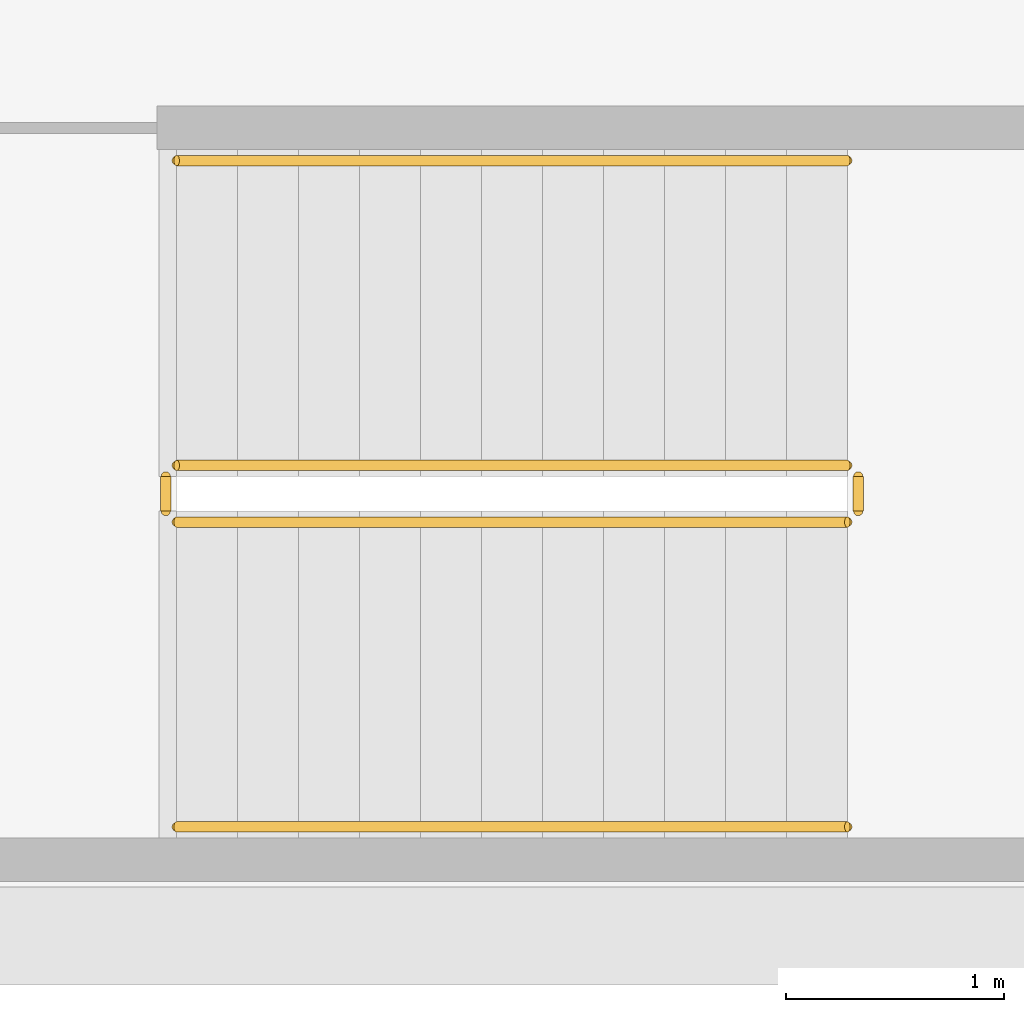
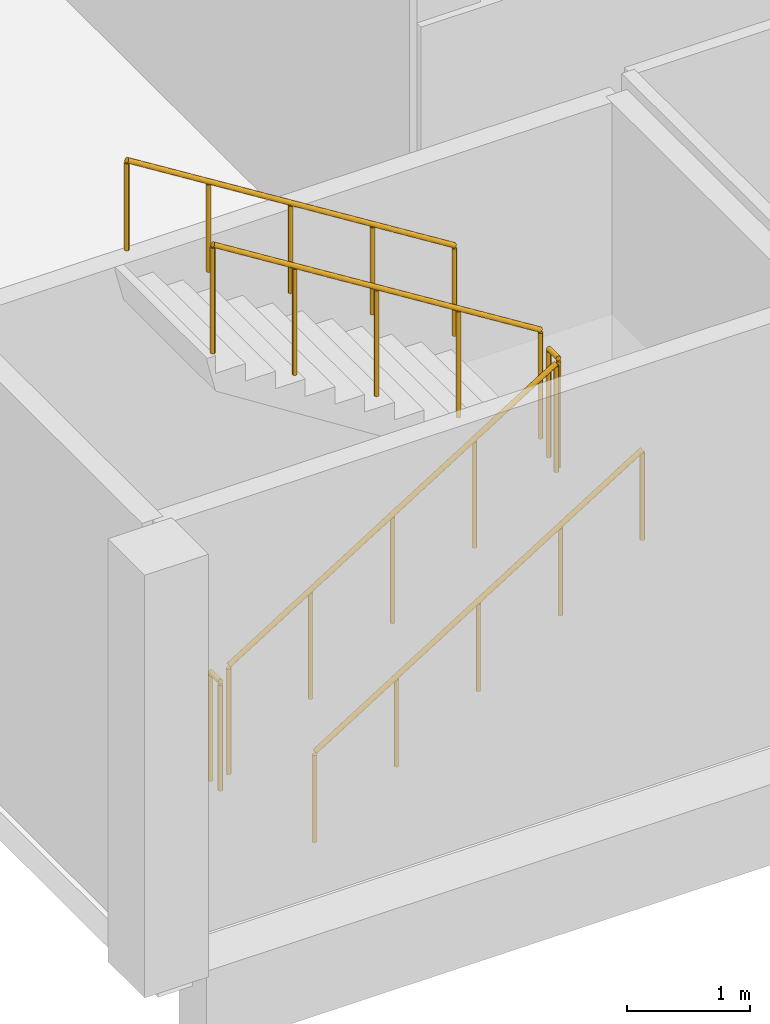
# One storey, part 60 of 68: 6 railings.
"""IFC4 building model written with IfcOpenShell, lengths in metres."""

from ifc_helpers import new_model, si_unit, direction, frame, origin, origin_2d, place, context, subcontext, project, spatial, circle, extrude, material, type_object, element, save


model = new_model("IFC4")

# Units and contexts
model_context = context("Model", 3, precision=1e-05, world=origin(), true_north=direction((0.0, 1.0)))
body_context = subcontext(model_context, "Body", "Model", "MODEL_VIEW")
ifc_project = project(units=[si_unit("LENGTHUNIT", "METRE"), si_unit("AREAUNIT", "SQUARE_METRE"), si_unit("VOLUMEUNIT", "CUBIC_METRE"), si_unit("PLANEANGLEUNIT", "RADIAN"), si_unit("MASSUNIT", "GRAM", prefix="KILO")], contexts=[model_context])

# Site, building, storey
site_placement = place(None, origin())
site = spatial("IfcSite", under=ifc_project, at=site_placement, CompositionType="ELEMENT")
building_placement = place(site_placement, origin())
building = spatial("IfcBuilding", under=site, at=building_placement, Name="Ciguamira Faculty of Natural Sciences", CompositionType="ELEMENT")
storey_placement = place(building_placement, frame((0.0, 0.0, 4.199951171875)))
storey = spatial("IfcBuildingStorey", under=building, at=storey_placement, Name="L01", CompositionType="ELEMENT", Elevation=4.199951171875)

# Railings
ifc_material_1 = material(Name="Stainless steel balustrade", Category="steel")
railing_type_1 = type_object("IfcRailingType", Name="Guardrail_GR01", PredefinedType="GUARDRAIL", material=ifc_material_1)
railing_1_placement = place(storey_placement, frame((59.06005859375, 46.89990234375, 0.175048828125)))
element("IfcRailing", 1, at=railing_1_placement, inside=storey, type_object=railing_type_1, Name="L01 ST-W1 stair guard 1", PredefinedType="GUARDRAIL", context=body_context, shape_type="SweptSolid", body=[
    extrude(circle(Radius=0.02392578125, at=origin_2d()), frame((0.0, 0.0, 1.076171875), z_axis=(0.847979421464, 0.0, 0.530029150871), x_axis=(0.0, 1.0, 0.0)), (0.0, 0.0, 1.0), 3.632080078125),
    extrude(circle(Radius=0.02099609375, at=origin_2d()), origin(), (0.0, 0.0, 1.0), 1.052001953125),
    extrude(circle(Radius=0.02099609375, at=origin_2d()), frame((0.77001953125, 0.0, 0.481201171875)), (0.0, 0.0, 1.0), 1.052001953125),
    extrude(circle(Radius=0.02099609375, at=origin_2d()), frame((1.5400390625, 0.0, 0.96240234375)), (0.0, 0.0, 1.0), 1.052001953125),
    extrude(circle(Radius=0.02099609375, at=origin_2d()), frame((2.309814453125, 0.0, 1.44384765625)), (0.0, 0.0, 1.0), 1.052001953125),
    extrude(circle(Radius=0.02099609375, at=origin_2d()), frame((3.079833984375, 0.0, 1.925048828125)), (0.0, 0.0, 1.0), 1.052001953125),
])
railing_2_placement = place(storey_placement, frame((62.18994140625, 46.949951171875, 2.10009765625)))
element("IfcRailing", 2, at=railing_2_placement, inside=storey, type_object=railing_type_1, Name="L01 ST-W1 stair guard 2", PredefinedType="GUARDRAIL", context=body_context, shape_type="SweptSolid", body=[
    extrude(circle(Radius=0.02392578125, at=origin_2d()), frame((0.0, 0.0, 1.076171875), z_axis=(0.0, 1.0, 0.0), x_axis=(-1.0, 0.0, 0.0)), (0.0, 0.0, 1.0), 0.16015625),
    extrude(circle(Radius=0.02099609375, at=origin_2d()), origin(), (0.0, 0.0, 1.0), 1.052001953125),
    extrude(circle(Radius=0.02099609375, at=origin_2d()), frame((0.0, 0.16015625, 0.0)), (0.0, 0.0, 1.0), 1.052001953125),
])
railing_3_placement = place(storey_placement, frame((62.139892578125, 47.159912109375, 2.275146484375)))
element("IfcRailing", 3, at=railing_3_placement, inside=storey, type_object=railing_type_1, Name="L01 ST-W1 stair guard 3", PredefinedType="GUARDRAIL", context=body_context, shape_type="SweptSolid", body=[
    extrude(circle(Radius=0.02392578125, at=origin_2d()), frame((0.0, 0.0, 1.076171875), z_axis=(-0.848009633417, 0.0, 0.529980812513), x_axis=(0.0, -1.0, 0.0)), (0.0, 0.0, 1.0), 3.6318359375),
    extrude(circle(Radius=0.02099609375, at=origin_2d()), origin(), (0.0, 0.0, 1.0), 1.052001953125),
    extrude(circle(Radius=0.02099609375, at=origin_2d()), frame((-0.77001953125, 0.0, 0.481201171875)), (0.0, 0.0, 1.0), 1.052001953125),
    extrude(circle(Radius=0.02099609375, at=origin_2d()), frame((-1.5400390625, 0.0, 0.96240234375)), (0.0, 0.0, 1.0), 1.052001953125),
    extrude(circle(Radius=0.02099609375, at=origin_2d()), frame((-2.309814453125, 0.0, 1.443603515625)), (0.0, 0.0, 1.0), 1.052001953125),
    extrude(circle(Radius=0.02099609375, at=origin_2d()), frame((-3.079833984375, 0.0, 1.9248046875)), (0.0, 0.0, 1.0), 1.052001953125),
])
railing_4_placement = place(storey_placement, frame((59.010009765625, 46.949951171875, 0.0)))
element("IfcRailing", 4, at=railing_4_placement, inside=storey, type_object=railing_type_1, Name="L01 ST-W1 stair guard 4", PredefinedType="GUARDRAIL", context=body_context, shape_type="SweptSolid", body=[
    extrude(circle(Radius=0.02392578125, at=origin_2d()), frame((0.0, 0.0, 1.076171875), z_axis=(0.0, 1.0, 0.0), x_axis=(-1.0, 0.0, 0.0)), (0.0, 0.0, 1.0), 0.16015625),
    extrude(circle(Radius=0.02099609375, at=origin_2d()), origin(), (0.0, 0.0, 1.0), 1.052001953125),
    extrude(circle(Radius=0.02099609375, at=origin_2d()), frame((0.0, 0.16015625, 0.0)), (0.0, 0.0, 1.0), 1.052001953125),
])
ifc_material_2 = material(Name="Stainless steel handrail", Category="steel")
railing_type_2 = type_object("IfcRailingType", Name="Handrail_HR01", PredefinedType="HANDRAIL", material=ifc_material_2)
railing_5_placement = place(storey_placement, frame((59.06005859375, 45.5, 0.35009765625)))
element("IfcRailing", 5, at=railing_5_placement, inside=storey, type_object=railing_type_2, Name="L01 ST-W1 stair handrail 1", PredefinedType="HANDRAIL", context=body_context, shape_type="SweptSolid", body=[
    extrude(circle(Radius=0.02392578125, at=origin_2d()), frame((0.0, 0.0, 0.89111328125), z_axis=(0.847979421464, 0.0, 0.530029150871), x_axis=(0.0, 1.0, 0.0)), (0.0, 0.0, 1.0), 3.632080078125),
    extrude(circle(Radius=0.02099609375, at=origin_2d()), origin(), (0.0, 0.0, 1.0), 0.866943359375),
    extrude(circle(Radius=0.02099609375, at=origin_2d()), frame((0.77001953125, 0.0, 0.481201171875)), (0.0, 0.0, 1.0), 0.866943359375),
    extrude(circle(Radius=0.02099609375, at=origin_2d()), frame((1.5400390625, 0.0, 0.96240234375)), (0.0, 0.0, 1.0), 0.866943359375),
    extrude(circle(Radius=0.02099609375, at=origin_2d()), frame((2.309814453125, 0.0, 1.44384765625)), (0.0, 0.0, 1.0), 0.866943359375),
    extrude(circle(Radius=0.02099609375, at=origin_2d()), frame((3.079833984375, 0.0, 1.925048828125)), (0.0, 0.0, 1.0), 0.866943359375),
])
railing_6_placement = place(storey_placement, frame((62.139892578125, 48.56005859375, 2.449951171875)))
element("IfcRailing", 6, at=railing_6_placement, inside=storey, type_object=railing_type_2, Name="L01 ST-W1 stair handrail 2", PredefinedType="HANDRAIL", context=body_context, shape_type="SweptSolid", body=[
    extrude(circle(Radius=0.02392578125, at=origin_2d()), frame((0.0, 0.0, 0.89111328125), z_axis=(-0.847979421464, 0.0, 0.530029150871), x_axis=(0.0, -1.0, 0.0)), (0.0, 0.0, 1.0), 3.632080078125),
    extrude(circle(Radius=0.02099609375, at=origin_2d()), origin(), (0.0, 0.0, 1.0), 0.866943359375),
    extrude(circle(Radius=0.02099609375, at=origin_2d()), frame((-0.77001953125, 0.0, 0.481201171875)), (0.0, 0.0, 1.0), 0.866943359375),
    extrude(circle(Radius=0.02099609375, at=origin_2d()), frame((-1.5400390625, 0.0, 0.96240234375)), (0.0, 0.0, 1.0), 0.866943359375),
    extrude(circle(Radius=0.02099609375, at=origin_2d()), frame((-2.309814453125, 0.0, 1.44384765625)), (0.0, 0.0, 1.0), 0.866943359375),
    extrude(circle(Radius=0.02099609375, at=origin_2d()), frame((-3.079833984375, 0.0, 1.925048828125)), (0.0, 0.0, 1.0), 0.866943359375),
])

save(model, "model.ifc")
